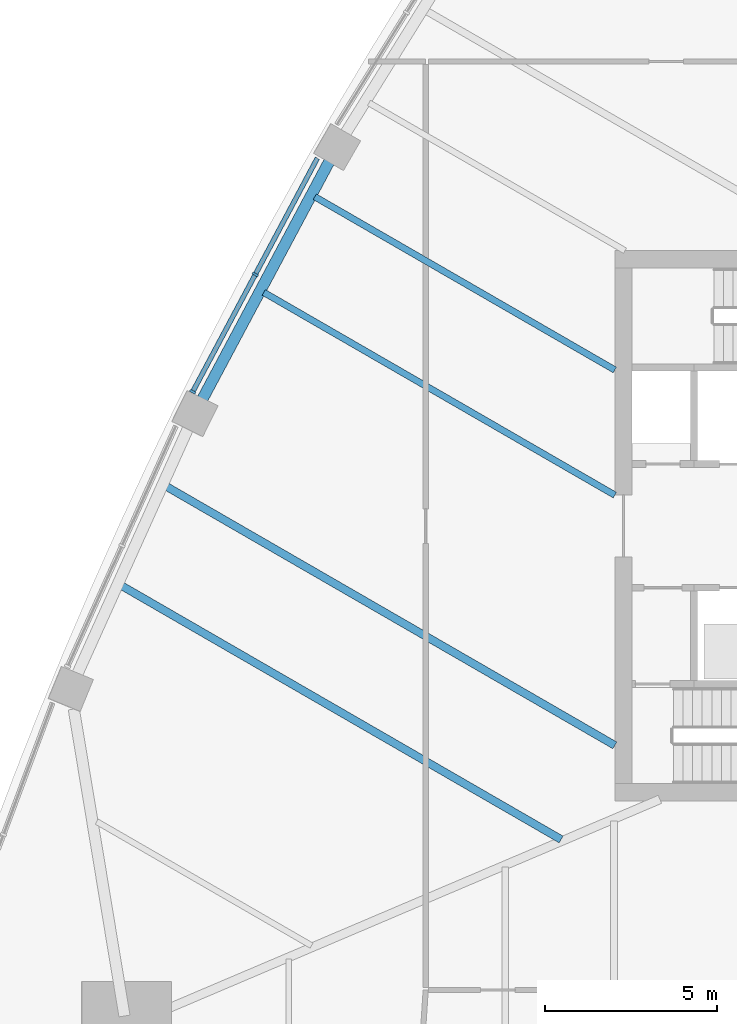
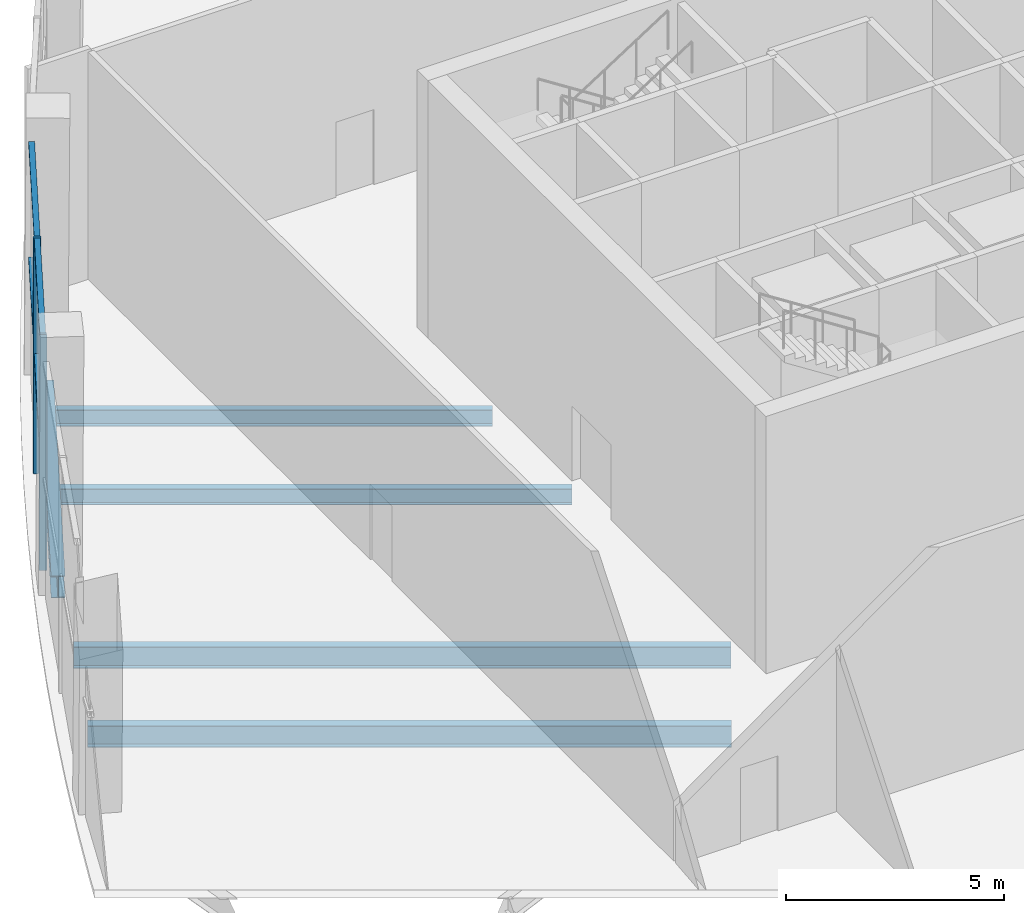
# One storey, part 3 of 15: 6 members, 5 beams, 1 element without a shape of its own.
"""IFC4 building model written with IfcOpenShell, lengths in metres."""

from ifc_helpers import new_model, si_unit, direction, frame, origin, origin_2d, place, context, subcontext, project, spatial, rectangle, i_section, extrude, material, layer, layer_set, material_profile, profile_set, type_object, element, aggregate, save


model = new_model("IFC4")

# Units and contexts
model_context = context("Model", 3, precision=1e-05, world=origin(), true_north=direction((0.0, 1.0)))
body_context = subcontext(model_context, "Body", "Model", "MODEL_VIEW")
ifc_project = project(units=[si_unit("LENGTHUNIT", "METRE"), si_unit("AREAUNIT", "SQUARE_METRE"), si_unit("VOLUMEUNIT", "CUBIC_METRE"), si_unit("PLANEANGLEUNIT", "RADIAN"), si_unit("MASSUNIT", "GRAM", prefix="KILO")], contexts=[model_context])

# Site, building, storey
site_placement = place(None, origin())
site = spatial("IfcSite", under=ifc_project, at=site_placement, CompositionType="ELEMENT")
building_placement = place(site_placement, origin())
building = spatial("IfcBuilding", under=site, at=building_placement, Name="Sierra Prisma Convention Tower", CompositionType="ELEMENT")
storey_placement = place(building_placement, frame((0.0, 0.0, 118.60009765625)))
storey = spatial("IfcBuildingStorey", under=building, at=storey_placement, Name="L25", CompositionType="ELEMENT", Elevation=118.60009765625)

# Curtain wall, members
ifc_material_1 = material(Name="Aluminium and glass curtain wall", Category="aluminium")
ifc_layer = layer(ifc_material_1, 0.179931640625)
ifc_layer_set = layer_set([ifc_layer], Name="CW-4 Sky lobby double-height curtain wall")
curtain_wall_type = type_object("IfcCurtainWallType", Name="CW-4 Sky lobby double-height curtain wall", PredefinedType="NOTDEFINED", material=ifc_layer_set)
curtain_wall_placement = place(storey_placement, origin())
curtain_wall = element("IfcCurtainWall", 1, at=curtain_wall_placement, inside=storey, type_object=curtain_wall_type, Name="CW-4 NW4 L25", PredefinedType="NOTDEFINED")
ifc_material_2 = material(Name="Aluminium 6063-T6 bronze anodised", Category="aluminium")
ifc_material_profile_1 = material_profile(ifc_material_2, rectangle(XDim=0.179931640625, YDim=0.070068359375, at=origin_2d()), Name="ALU MULLION 70x180")
ifc_profile_set_1 = profile_set([ifc_material_profile_1], Name="Aluminium 6063-T6 bronze anodised")
member_type_1 = type_object("IfcMemberType", Name="CW mullion bronze", PredefinedType="MULLION", material=ifc_profile_set_1)
member_1_placement = place(storey_placement, frame((-21.4541015625, 7.3095703125, 0.0), z_axis=(0.0, 0.0, 1.0), x_axis=(0.882239984457, -0.470799967953, 0.0)))
member_1 = element("IfcMember", 2, at=member_1_placement, type_object=member_type_1, Name="CW-4 mullion NW4.2", PredefinedType="MULLION", context=body_context, shape_type="SweptSolid", body=[
    extrude(rectangle(XDim=0.179931640625, YDim=0.070068359375, at=origin_2d()), origin(), (0.0, 0.0, 1.0), 6.599853515625),
])
member_2_placement = place(storey_placement, frame((-23.2734375, 3.900390625, 0.0), z_axis=(0.0, 0.0, 1.0), x_axis=(0.882239984457, -0.470799967953, 0.0)))
member_2 = element("IfcMember", 3, at=member_2_placement, type_object=member_type_1, Name="CW-4 mullion NW4.3", PredefinedType="MULLION", context=body_context, shape_type="SweptSolid", body=[
    extrude(rectangle(XDim=0.179931640625, YDim=0.070068359375, at=origin_2d()), origin(), (0.0, 0.0, 1.0), 6.599853515625),
])
ifc_material_3 = material(Name="Aluminium 6063-T6 bronze anodised", Category="aluminium")
ifc_material_profile_2 = material_profile(ifc_material_3, rectangle(XDim=0.139892578125, YDim=0.1201171875, at=origin_2d()), Name="ALU TRANSOM 120x140")
ifc_profile_set_2 = profile_set([ifc_material_profile_2], Name="Aluminium 6063-T6 bronze anodised")
member_type_2 = type_object("IfcMemberType", Name="CW transom bronze", PredefinedType="USERDEFINED", material=ifc_profile_set_2)
member_3_placement = place(storey_placement, frame((-19.651123046875, 10.687744140625, 6.539794921875), z_axis=(-0.470811980274, -0.882233574078, 0.0), x_axis=(0.882233574078, -0.470811980274, 0.0)))
member_3 = element("IfcMember", 4, at=member_3_placement, type_object=member_type_2, Name="CW-4 transom NW4.1", ObjectType="TRANSOM", PredefinedType="USERDEFINED", context=body_context, shape_type="SweptSolid", body=[
    extrude(rectangle(XDim=0.139892578125, YDim=0.1201171875, at=origin_2d()), origin(), (0.0, 0.0, 1.0), 3.794189453125),
])
member_4_placement = place(storey_placement, frame((-19.651123046875, 10.687744140625, 3.2998046875), z_axis=(-0.470811980274, -0.882233574078, 0.0), x_axis=(0.882233574078, -0.470811980274, 0.0)))
member_4 = element("IfcMember", 5, at=member_4_placement, type_object=member_type_2, Name="CW-4 transom NW4.1 mid", ObjectType="TRANSOM", PredefinedType="USERDEFINED", context=body_context, shape_type="SweptSolid", body=[
    extrude(rectangle(XDim=0.139892578125, YDim=0.1201171875, at=origin_2d()), origin(), (0.0, 0.0, 1.0), 3.794189453125),
])
member_5_placement = place(storey_placement, frame((-21.470458984375, 7.278564453125, 6.539794921875), z_axis=(-0.470811980274, -0.882233574078, 0.0), x_axis=(0.882233574078, -0.470811980274, 0.0)))
member_5 = element("IfcMember", 6, at=member_5_placement, type_object=member_type_2, Name="CW-4 transom NW4.2", ObjectType="TRANSOM", PredefinedType="USERDEFINED", context=body_context, shape_type="SweptSolid", body=[
    extrude(rectangle(XDim=0.139892578125, YDim=0.1201171875, at=origin_2d()), origin(), (0.0, 0.0, 1.0), 3.794189453125),
])
member_6_placement = place(storey_placement, frame((-21.470458984375, 7.278564453125, 3.2998046875), z_axis=(-0.470811980274, -0.882233574078, 0.0), x_axis=(0.882233574078, -0.470811980274, 0.0)))
member_6 = element("IfcMember", 7, at=member_6_placement, type_object=member_type_2, Name="CW-4 transom NW4.2 mid", ObjectType="TRANSOM", PredefinedType="USERDEFINED", context=body_context, shape_type="SweptSolid", body=[
    extrude(rectangle(XDim=0.139892578125, YDim=0.1201171875, at=origin_2d()), origin(), (0.0, 0.0, 1.0), 3.794189453125),
])
aggregate(curtain_wall, [member_1, member_2, member_3, member_4, member_5, member_6])

# Beams
ifc_material_4 = material(Name="Steel ASTM A992 Gr 50", Category="steel")
ifc_material_profile_3 = material_profile(ifc_material_4, i_section(OverallWidth=0.18994140625, OverallDepth=0.45703125, WebThickness=0.009033203125, FlangeThickness=0.014404296875, at=origin_2d()), Name="W460x74")
ifc_profile_set_3 = profile_set([ifc_material_profile_3], Name="Steel ASTM A992 Gr 50")
beam_type_1 = type_object("IfcBeamType", Name="Floor joist W460x74", PredefinedType="JOIST", material=ifc_profile_set_3)
beam_1_placement = place(storey_placement, frame((-19.724365234375, 9.568603515625, -0.378662109375), z_axis=(0.866021330767, -0.500007054607, 0.0), x_axis=(0.500007054607, 0.866021330767, 0.0)))
element("IfcBeam", 8, at=beam_1_placement, inside=storey, type_object=beam_type_1, Name="Floor joist L25 NW09", PredefinedType="JOIST", context=body_context, shape_type="SweptSolid", body=[
    extrude(i_section(OverallWidth=0.18994140625, OverallDepth=0.45703125, WebThickness=0.009033203125, FlangeThickness=0.014404296875, at=origin_2d()), origin(), (0.0, 0.0, 1.0), 10.073974609375),
])
beam_2_placement = place(storey_placement, frame((-21.208740234375, 6.787109375, -0.378662109375), z_axis=(0.866024520484, -0.500001529918, 0.0), x_axis=(0.500001529918, 0.866024520484, 0.0)))
element("IfcBeam", 9, at=beam_2_placement, inside=storey, type_object=beam_type_1, Name="Floor joist L25 NW10", PredefinedType="JOIST", context=body_context, shape_type="SweptSolid", body=[
    extrude(i_section(OverallWidth=0.18994140625, OverallDepth=0.45703125, WebThickness=0.009033203125, FlangeThickness=0.014404296875, at=origin_2d()), origin(), (0.0, 0.0, 1.0), 11.7880859375),
])
ifc_material_5 = material(Name="Steel ASTM A992 Gr 50", Category="steel")
ifc_material_profile_4 = material_profile(ifc_material_5, i_section(OverallWidth=0.22802734375, OverallDepth=0.60302734375, WebThickness=0.010498046875, FlangeThickness=0.014892578125, at=origin_2d()), Name="W610x101")
ifc_profile_set_4 = profile_set([ifc_material_profile_4], Name="Steel ASTM A992 Gr 50")
beam_type_2 = type_object("IfcBeamType", Name="Floor joist W610x101", PredefinedType="JOIST", material=ifc_profile_set_4)
beam_3_placement = place(storey_placement, frame((-24.04638671875, 1.148193359375, -0.45166015625), z_axis=(0.866028517328, -0.499994607145, 0.0), x_axis=(0.499994607145, 0.866028517328, 0.0)))
element("IfcBeam", 10, at=beam_3_placement, inside=storey, type_object=beam_type_2, Name="Floor joist L25 NW12", PredefinedType="JOIST", context=body_context, shape_type="SweptSolid", body=[
    extrude(i_section(OverallWidth=0.22802734375, OverallDepth=0.60302734375, WebThickness=0.010498046875, FlangeThickness=0.014892578125, at=origin_2d()), origin(), (0.0, 0.0, 1.0), 15.064697265625),
])
beam_4_placement = place(storey_placement, frame((-25.347412109375, -1.739013671875, -0.45166015625), z_axis=(0.866025023135, -0.500000659304, 0.0), x_axis=(0.500000659304, 0.866025023135, 0.0)))
element("IfcBeam", 11, at=beam_4_placement, inside=storey, type_object=beam_type_2, Name="Floor joist L25 NW13", PredefinedType="JOIST", context=body_context, shape_type="SweptSolid", body=[
    extrude(i_section(OverallWidth=0.22802734375, OverallDepth=0.60302734375, WebThickness=0.010498046875, FlangeThickness=0.014892578125, at=origin_2d()), origin(), (0.0, 0.0, 1.0), 14.76220703125),
])
ifc_material_6 = material(Name="Steel ASTM A992 Gr 50", Category="steel")
ifc_material_profile_5 = material_profile(ifc_material_6, i_section(OverallWidth=0.324951171875, OverallDepth=0.615966796875, WebThickness=0.013916015625, FlangeThickness=0.021484375, at=origin_2d()), Name="W610x174")
ifc_profile_set_5 = profile_set([ifc_material_profile_5], Name="Steel ASTM A992 Gr 50")
beam_type_3 = type_object("IfcBeamType", Name="Spandrel beam W610x174", PredefinedType="BEAM", material=ifc_profile_set_5)
beam_5_placement = place(storey_placement, frame((-19.305908203125, 10.592041015625, -0.4580078125), z_axis=(-0.470798680984, -0.882240671236, 0.0), x_axis=(0.882240671236, -0.470798680984, 0.0)))
element("IfcBeam", 12, at=beam_5_placement, inside=storey, type_object=beam_type_3, Name="Spandrel L25-16", PredefinedType="BEAM", context=body_context, shape_type="SweptSolid", body=[
    extrude(i_section(OverallWidth=0.324951171875, OverallDepth=0.615966796875, WebThickness=0.013916015625, FlangeThickness=0.021484375, at=origin_2d()), origin(), (0.0, 0.0, 1.0), 7.8271484375),
])

save(model, "model.ifc")
